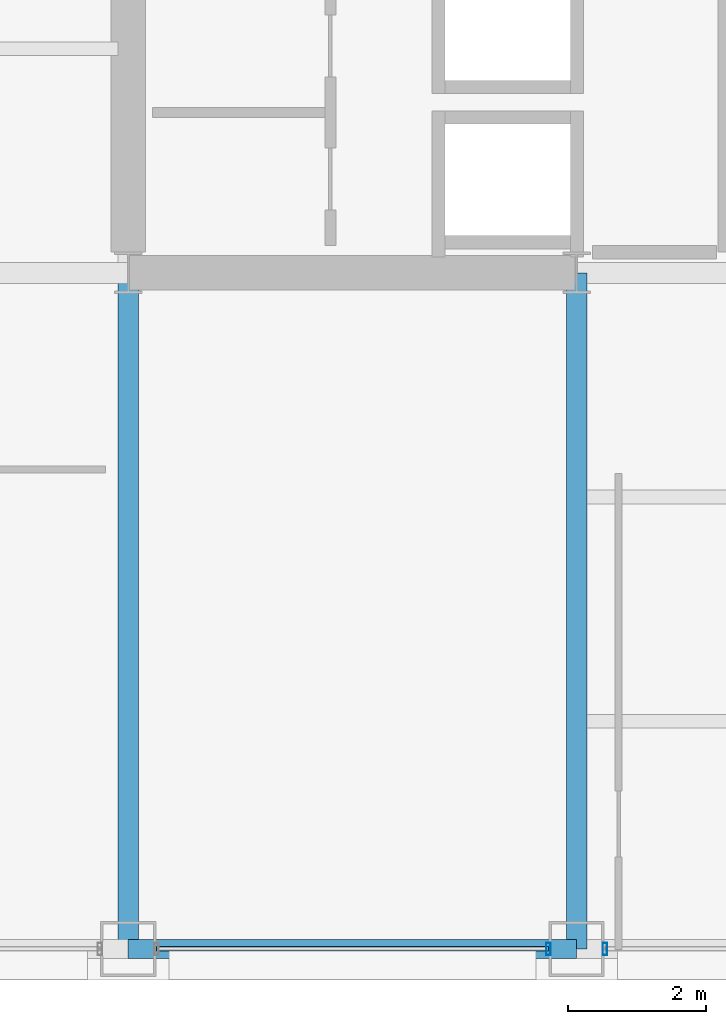
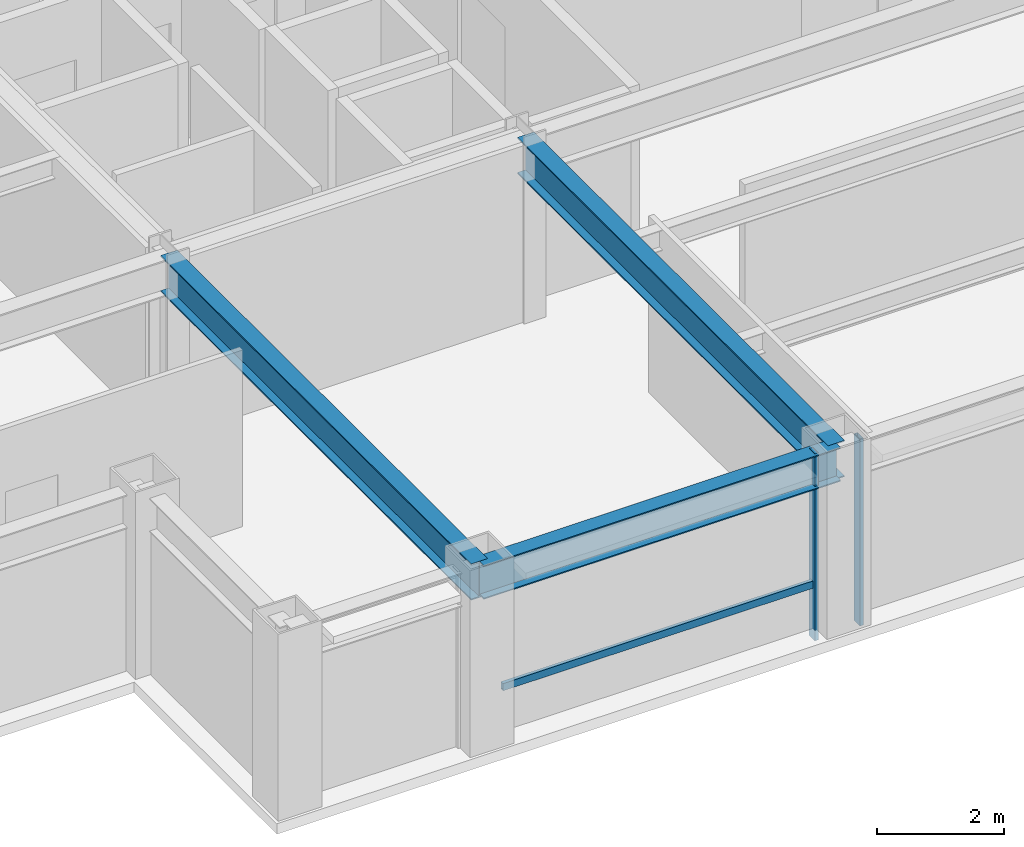
# One storey, part 3 of 29: 3 beams, 3 members, 2 elements without a shape of their own.
"""IFC4 building model written with IfcOpenShell, lengths in metres."""

from ifc_helpers import new_model, si_unit, direction, frame, origin, origin_2d, place, context, subcontext, project, spatial, hollow_rectangle, i_section, extrude, material, layer, layer_set, material_profile, profile_set, type_object, element, aggregate, save


model = new_model("IFC4")

# Units and contexts
model_context = context("Model", 3, precision=1e-05, world=origin(), true_north=direction((0.0, 1.0)))
body_context = subcontext(model_context, "Body", "Model", "MODEL_VIEW")
ifc_project = project(units=[si_unit("LENGTHUNIT", "METRE"), si_unit("AREAUNIT", "SQUARE_METRE"), si_unit("VOLUMEUNIT", "CUBIC_METRE"), si_unit("PLANEANGLEUNIT", "RADIAN"), si_unit("MASSUNIT", "GRAM", prefix="KILO")], contexts=[model_context])

# Site, building, storey
site_placement = place(None, origin())
site = spatial("IfcSite", under=ifc_project, at=site_placement, CompositionType="ELEMENT")
building_placement = place(site_placement, origin())
building = spatial("IfcBuilding", under=site, at=building_placement, Name="Brelmoor Portico Tower", CompositionType="ELEMENT")
storey_placement = place(building_placement, frame((0.0, 0.0, 127.800048828125)))
storey = spatial("IfcBuildingStorey", under=building, at=storey_placement, Name="L33", CompositionType="ELEMENT", Elevation=127.800048828125)

# Beams
ifc_material_1 = material(Name="Steel Q355B", Category="steel")
ifc_material_profile_1 = material_profile(ifc_material_1, i_section(OverallWidth=0.300048828125, OverallDepth=0.699951171875, WebThickness=0.012939453125, FlangeThickness=0.02392578125, at=origin_2d()), Name="HN 700x300x13x24")
ifc_profile_set_1 = profile_set([ifc_material_profile_1], Name="Steel Q355B")
beam_type_1 = type_object("IfcBeamType", Name="BM-PG-700", PredefinedType="BEAM", material=ifc_profile_set_1)
for number, where, z_axis, x_axis, name in (
    (1, (-14.550048828125, -19.550048828125, 3.050048828125), (0.0, 1.0, 0.0), (-1.0, 0.0, 0.0), "L33 Primary Floor Girder PG-01"),
    (2, (-8.050048828125, -19.550048828125, 3.050048828125), (0.0, 1.0, 0.0), (-1.0, 0.0, 0.0), "L33 Primary Floor Girder PG-05"),
):
    element("IfcBeam", number, at=place(storey_placement, frame(where, z_axis=z_axis, x_axis=x_axis)), inside=storey, type_object=beam_type_1, Name=name, PredefinedType="BEAM", context=body_context, shape_type="SweptSolid", body=[
        extrude(i_section(OverallWidth=0.300048828125, OverallDepth=0.699951171875, WebThickness=0.012939453125, FlangeThickness=0.02392578125, at=origin_2d()), origin(), (0.0, 0.0, 1.0), 9.800048828125),
    ])
ifc_material_profile_2 = material_profile(ifc_material_1, i_section(OverallWidth=0.280029296875, OverallDepth=0.64990234375, WebThickness=0.012939453125, FlangeThickness=0.02197265625, at=origin_2d()), Name="HN 650x280x13x22")
ifc_profile_set_2 = profile_set([ifc_material_profile_2], Name="Steel Q355B")
beam_type_2 = type_object("IfcBeamType", Name="BM-SP-650", PredefinedType="SPANDREL", material=ifc_profile_set_2)
beam_placement = place(storey_placement, frame((-14.550048828125, -19.550048828125, 3.074951171875), z_axis=(1.0, 0.0, 0.0), x_axis=(0.0, 1.0, 0.0)))
element("IfcBeam", 3, at=beam_placement, inside=storey, type_object=beam_type_2, Name="L33 Perimeter Spandrel Beam SP-02", PredefinedType="SPANDREL", context=body_context, shape_type="SweptSolid", body=[
    extrude(i_section(OverallWidth=0.280029296875, OverallDepth=0.64990234375, WebThickness=0.012939453125, FlangeThickness=0.02197265625, at=origin_2d()), origin(), (0.0, 0.0, 1.0), 6.5),
])

# Curtain wall, member
ifc_material_2 = material(Name="Anodised Aluminium Alloy 6063-T6", Category="aluminium")
ifc_layer_1 = layer(ifc_material_2, 0.179931640625)
ifc_layer_set_1 = layer_set([ifc_layer_1], Name="Anodised Aluminium Alloy 6063-T6")
curtain_wall_type_1 = type_object("IfcCurtainWallType", Name="CW-TOWER-Z2", PredefinedType="NOTDEFINED", material=ifc_layer_set_1)
curtain_wall_1_placement = place(storey_placement, origin())
curtain_wall_1 = element("IfcCurtainWall", 4, at=curtain_wall_1_placement, inside=storey, type_object=curtain_wall_type_1, Name="L33 Curtain Wall CW-L33-01-2", PredefinedType="NOTDEFINED")
ifc_material_profile_3 = material_profile(ifc_material_2, hollow_rectangle(XDim=0.06494140625, YDim=0.179931640625, WallThickness=0.00390625, at=origin_2d()), Name="ALU MULLION 65x180")
ifc_profile_set_3 = profile_set([ifc_material_profile_3], Name="Anodised Aluminium Alloy 6063-T6")
member_type_1 = type_object("IfcMemberType", Name="MB-CW-MULL-180", PredefinedType="MULLION", material=ifc_profile_set_3)
member_1_placement = place(storey_placement, frame((-8.4599609375, -19.550048828125, -0.199951171875), z_axis=(0.0, 0.0, 1.0), x_axis=(1.0, 0.0, 0.0)))
member_1 = element("IfcMember", 5, at=member_1_placement, type_object=member_type_1, Name="CW-L33-01-2 Mullion 01", PredefinedType="MULLION", context=body_context, shape_type="SweptSolid", body=[
    extrude(hollow_rectangle(XDim=0.06494140625, YDim=0.179931640625, WallThickness=0.00390625, at=origin_2d()), origin(), (0.0, 0.0, 1.0), 3.599853515625),
])

ifc_layer_2 = layer(ifc_material_2, 0.179931640625)
ifc_layer_set_2 = layer_set([ifc_layer_2], Name="Anodised Aluminium Alloy 6063-T6")
curtain_wall_type_2 = type_object("IfcCurtainWallType", Name="CW-TOWER-Z2-XB", PredefinedType="NOTDEFINED", material=ifc_layer_set_2)
curtain_wall_2_placement = place(storey_placement, origin())
curtain_wall_2 = element("IfcCurtainWall", 6, at=curtain_wall_2_placement, inside=storey, type_object=curtain_wall_type_2, Name="L33 Curtain Wall CW-L33-01-3", PredefinedType="NOTDEFINED")
member_2_placement = place(storey_placement, frame((-7.639892578125, -19.550048828125, -0.199951171875), z_axis=(0.0, 0.0, 1.0), x_axis=(1.0, 0.0, 0.0)))
member_2 = element("IfcMember", 7, at=member_2_placement, type_object=member_type_1, Name="CW-L33-01-3 Mullion 00", PredefinedType="MULLION", context=body_context, shape_type="SweptSolid", body=[
    extrude(hollow_rectangle(XDim=0.06494140625, YDim=0.179931640625, WallThickness=0.00390625, at=origin_2d()), origin(), (0.0, 0.0, 1.0), 3.599853515625),
])
aggregate(curtain_wall_2, [member_2])

# Member
ifc_material_profile_4 = material_profile(ifc_material_2, hollow_rectangle(XDim=0.06494140625, YDim=0.139892578125, WallThickness=0.00390625, at=origin_2d()), Name="ALU TRANSOM 65x140")
ifc_profile_set_4 = profile_set([ifc_material_profile_4], Name="Anodised Aluminium Alloy 6063-T6")
member_type_2 = type_object("IfcMemberType", Name="MB-CW-TRAN-140", PredefinedType="USERDEFINED", material=ifc_profile_set_4)
member_3_placement = place(storey_placement, frame((-14.139892578125, -19.550048828125, 0.849853515625), z_axis=(1.0, 0.0, 0.0), x_axis=(0.0, 1.0, 0.0)))
member_3 = element("IfcMember", 8, at=member_3_placement, type_object=member_type_2, Name="CW-L33-01-2 Transom 1-00", ObjectType="TRANSOM", PredefinedType="USERDEFINED", context=body_context, shape_type="SweptSolid", body=[
    extrude(hollow_rectangle(XDim=0.06494140625, YDim=0.139892578125, WallThickness=0.00390625, at=origin_2d()), origin(), (0.0, 0.0, 1.0), 5.679931640625),
])

aggregate(curtain_wall_1, [member_1, member_3])

save(model, "model.ifc")
